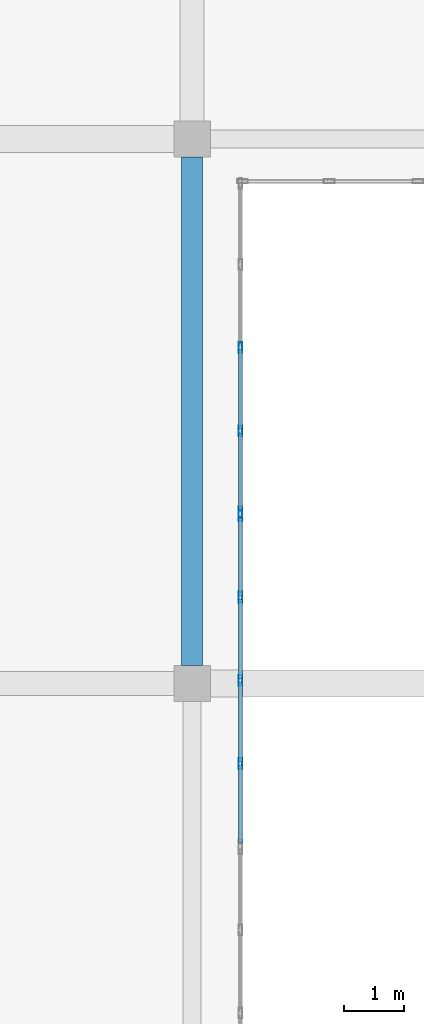
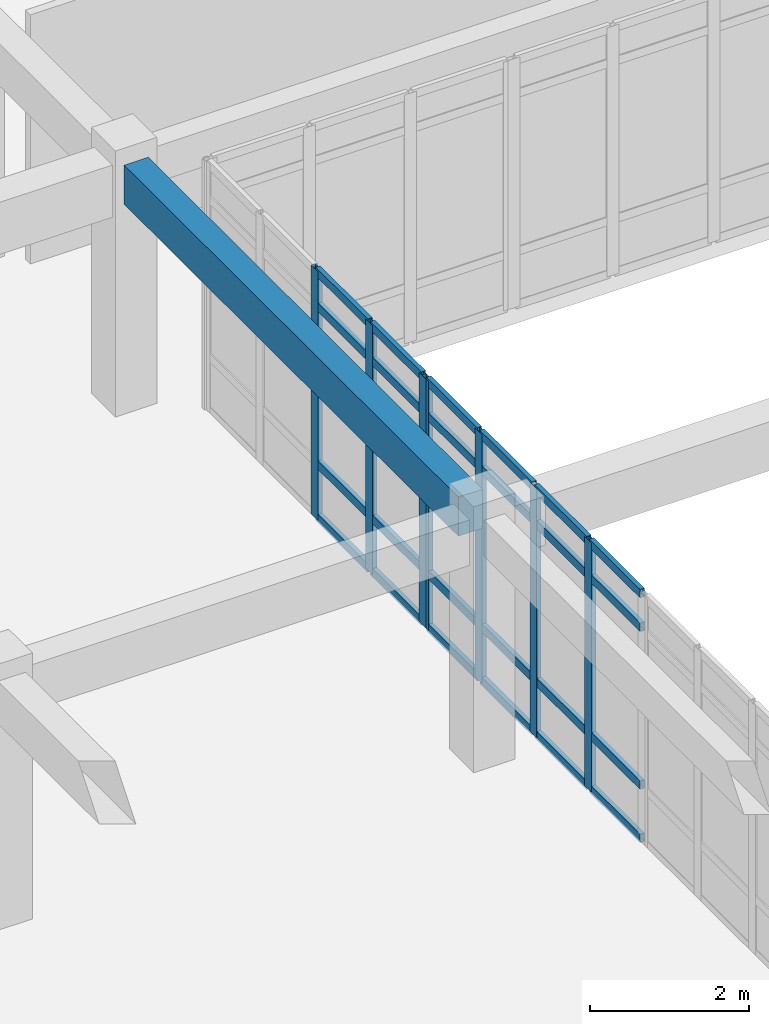
# One storey, part 83 of 146: 31 members, 1 beam, 2 elements without a shape of their own.
"""IFC4 building model written with IfcOpenShell, lengths in metres."""

from ifc_helpers import new_model, si_unit, direction, frame, origin, origin_2d, place, context, subcontext, project, spatial, rectangle, hollow_rectangle, extrude, material, layer, layer_set, material_profile, profile_set, type_object, element, aggregate, save


model = new_model("IFC4")

# Units and contexts
model_context = context("Model", 3, precision=1e-05, world=origin(), true_north=direction((0.0, 1.0)))
body_context = subcontext(model_context, "Body", "Model", "MODEL_VIEW")
ifc_project = project(units=[si_unit("LENGTHUNIT", "METRE"), si_unit("AREAUNIT", "SQUARE_METRE"), si_unit("VOLUMEUNIT", "CUBIC_METRE"), si_unit("PLANEANGLEUNIT", "RADIAN"), si_unit("MASSUNIT", "GRAM", prefix="KILO")], contexts=[model_context])

# Site, building, storey
site_placement = place(None, origin())
site = spatial("IfcSite", under=ifc_project, at=site_placement, CompositionType="ELEMENT")
building_placement = place(site_placement, origin())
building = spatial("IfcBuilding", under=site, at=building_placement, Name="Valcora Specialist Clinic", CompositionType="ELEMENT")
storey_placement = place(building_placement, frame((0.0, 0.0, 9.52001953125)))
storey = spatial("IfcBuildingStorey", under=building, at=storey_placement, Name="L02", CompositionType="ELEMENT", Elevation=9.52001953125)

# Beam
ifc_material_1 = material(Name="Concrete C40/50", Category="concrete")
ifc_material_profile_1 = material_profile(ifc_material_1, rectangle(XDim=0.35009765625, YDim=0.60009765625, at=origin_2d()), Name="RC-BM-350X600")
ifc_profile_set_1 = profile_set([ifc_material_profile_1], Name="Concrete C40/50")
beam_type = type_object("IfcBeamType", Name="TY-BM-RC350X600", PredefinedType="BEAM", material=ifc_profile_set_1)
beam_placement = place(storey_placement, frame((76.0, 90.5, 3.52001953125), z_axis=(0.0, 1.0, 0.0), x_axis=(-1.0, 0.0, 0.0)))
element("IfcBeam", 1, at=beam_placement, inside=storey, type_object=beam_type, Name="Beam BM-L02-0744", PredefinedType="BEAM", context=body_context, shape_type="SweptSolid", body=[
    extrude(rectangle(XDim=0.35009765625, YDim=0.60009765625, at=origin_2d()), origin(), (0.0, 0.0, 1.0), 8.39990234375),
])

# Curtain wall, members
ifc_material_2 = material(Name="Anodized Bronze Aluminium 6063-T6", Category="aluminium")
ifc_layer = layer(ifc_material_2, 0.175048828125)
ifc_layer_set = layer_set([ifc_layer], Name="Anodized Bronze Aluminium 6063-T6")
curtain_wall_type = type_object("IfcCurtainWallType", Name="TY-CW-CRT15", PredefinedType="NOTDEFINED", material=ifc_layer_set)
curtain_wall_1_placement = place(storey_placement, origin())
curtain_wall_1 = element("IfcCurtainWall", 2, at=curtain_wall_1_placement, inside=storey, type_object=curtain_wall_type, Name="Curtain wall CW-L02-102", PredefinedType="NOTDEFINED")
ifc_material_profile_2 = material_profile(ifc_material_2, hollow_rectangle(XDim=0.06494140625, YDim=0.175048828125, WallThickness=0.00390625, at=origin_2d()), Name="AL-MUL-65X175")
ifc_profile_set_2 = profile_set([ifc_material_profile_2], Name="Anodized Bronze Aluminium 6063-T6")
member_type_1 = type_object("IfcMemberType", Name="TY-CWM-65X175", PredefinedType="MULLION", material=ifc_profile_set_2)
member_1_placement = place(storey_placement, frame((76.800048828125, 95.75, 0.0), z_axis=(0.0, 0.0, 1.0), x_axis=(1.0, 0.0, 0.0)))
member_1 = element("IfcMember", 3, at=member_1_placement, type_object=member_type_1, Name="CW-CRT-15 mullion 3", PredefinedType="MULLION", context=body_context, shape_type="SweptSolid", body=[
    extrude(hollow_rectangle(XDim=0.06494140625, YDim=0.175048828125, WallThickness=0.00390625, at=origin_2d()), origin(), (0.0, 0.0, 1.0), 3.820068359375),
])
member_2_placement = place(storey_placement, frame((76.800048828125, 94.375, 0.0), z_axis=(0.0, 0.0, 1.0), x_axis=(1.0, 0.0, 0.0)))
member_2 = element("IfcMember", 4, at=member_2_placement, type_object=member_type_1, Name="CW-CRT-15 mullion 4", PredefinedType="MULLION", context=body_context, shape_type="SweptSolid", body=[
    extrude(hollow_rectangle(XDim=0.06494140625, YDim=0.175048828125, WallThickness=0.00390625, at=origin_2d()), origin(), (0.0, 0.0, 1.0), 3.820068359375),
])
member_3_placement = place(storey_placement, frame((76.800048828125, 93.032470703125, 0.0), z_axis=(0.0, 0.0, 1.0), x_axis=(1.0, 0.0, 0.0)))
member_3 = element("IfcMember", 5, at=member_3_placement, type_object=member_type_1, Name="CW-CRT-15 mullion 5", PredefinedType="MULLION", context=body_context, shape_type="SweptSolid", body=[
    extrude(hollow_rectangle(XDim=0.06494140625, YDim=0.175048828125, WallThickness=0.00390625, at=origin_2d()), origin(), (0.0, 0.0, 1.0), 3.820068359375),
])

curtain_wall_2_placement = place(storey_placement, origin())
curtain_wall_2 = element("IfcCurtainWall", 6, at=curtain_wall_2_placement, inside=storey, type_object=curtain_wall_type, Name="Curtain wall CW-L02-103", PredefinedType="NOTDEFINED")
member_4_placement = place(storey_placement, frame((76.800048828125, 92.967529296875, 0.0), z_axis=(0.0, 0.0, 1.0), x_axis=(1.0, 0.0, 0.0)))
member_4 = element("IfcMember", 7, at=member_4_placement, type_object=member_type_1, Name="CW-CRT-15 mullion 1", PredefinedType="MULLION", context=body_context, shape_type="SweptSolid", body=[
    extrude(hollow_rectangle(XDim=0.06494140625, YDim=0.175048828125, WallThickness=0.00390625, at=origin_2d()), origin(), (0.0, 0.0, 1.0), 3.820068359375),
])
member_5_placement = place(storey_placement, frame((76.800048828125, 91.625, 0.0), z_axis=(0.0, 0.0, 1.0), x_axis=(1.0, 0.0, 0.0)))
member_5 = element("IfcMember", 8, at=member_5_placement, type_object=member_type_1, Name="CW-CRT-15 mullion 2", PredefinedType="MULLION", context=body_context, shape_type="SweptSolid", body=[
    extrude(hollow_rectangle(XDim=0.06494140625, YDim=0.175048828125, WallThickness=0.00390625, at=origin_2d()), origin(), (0.0, 0.0, 1.0), 3.820068359375),
])
member_6_placement = place(storey_placement, frame((76.800048828125, 90.25, 0.0), z_axis=(0.0, 0.0, 1.0), x_axis=(1.0, 0.0, 0.0)))
member_6 = element("IfcMember", 9, at=member_6_placement, type_object=member_type_1, Name="CW-CRT-15 mullion 3", PredefinedType="MULLION", context=body_context, shape_type="SweptSolid", body=[
    extrude(hollow_rectangle(XDim=0.06494140625, YDim=0.175048828125, WallThickness=0.00390625, at=origin_2d()), origin(), (0.0, 0.0, 1.0), 3.820068359375),
])
member_7_placement = place(storey_placement, frame((76.800048828125, 88.875, 0.0), z_axis=(0.0, 0.0, 1.0), x_axis=(1.0, 0.0, 0.0)))
member_7 = element("IfcMember", 10, at=member_7_placement, type_object=member_type_1, Name="CW-CRT-15 mullion 4", PredefinedType="MULLION", context=body_context, shape_type="SweptSolid", body=[
    extrude(hollow_rectangle(XDim=0.06494140625, YDim=0.175048828125, WallThickness=0.00390625, at=origin_2d()), origin(), (0.0, 0.0, 1.0), 3.820068359375),
])

# Member
ifc_material_profile_3 = material_profile(ifc_material_2, hollow_rectangle(XDim=0.06494140625, YDim=0.1298828125, WallThickness=0.00390625, at=origin_2d()), Name="AL-TRN-65X130")
ifc_profile_set_3 = profile_set([ifc_material_profile_3], Name="Anodized Bronze Aluminium 6063-T6")
member_type_2 = type_object("IfcMemberType", Name="TY-CWT-65X130", PredefinedType="USERDEFINED", material=ifc_profile_set_3)
member_8_placement = place(storey_placement, frame((76.800048828125, 95.717529296875, 0.032470703125), z_axis=(0.0, -1.0, 0.0), x_axis=(1.0, 0.0, 0.0)))
member_8 = element("IfcMember", 11, at=member_8_placement, type_object=member_type_2, Name="CW-CRT-15 transom 3.1", ObjectType="TRANSOM", PredefinedType="USERDEFINED", context=body_context, shape_type="SweptSolid", body=[
    extrude(hollow_rectangle(XDim=0.06494140625, YDim=0.1298828125, WallThickness=0.00390625, at=origin_2d()), origin(), (0.0, 0.0, 1.0), 1.31005859375),
])

member_9_placement = place(storey_placement, frame((76.800048828125, 95.717529296875, 0.85009765625), z_axis=(0.0, -1.0, 0.0), x_axis=(1.0, 0.0, 0.0)))
member_9 = element("IfcMember", 12, at=member_9_placement, type_object=member_type_2, Name="CW-CRT-15 transom 3.2", ObjectType="TRANSOM", PredefinedType="USERDEFINED", context=body_context, shape_type="SweptSolid", body=[
    extrude(hollow_rectangle(XDim=0.06494140625, YDim=0.1298828125, WallThickness=0.00390625, at=origin_2d()), origin(), (0.0, 0.0, 1.0), 1.31005859375),
])

member_10_placement = place(storey_placement, frame((76.800048828125, 95.717529296875, 3.27001953125), z_axis=(0.0, -1.0, 0.0), x_axis=(1.0, 0.0, 0.0)))
member_10 = element("IfcMember", 13, at=member_10_placement, type_object=member_type_2, Name="CW-CRT-15 transom 3.3", ObjectType="TRANSOM", PredefinedType="USERDEFINED", context=body_context, shape_type="SweptSolid", body=[
    extrude(hollow_rectangle(XDim=0.06494140625, YDim=0.1298828125, WallThickness=0.00390625, at=origin_2d()), origin(), (0.0, 0.0, 1.0), 1.31005859375),
])

member_11_placement = place(storey_placement, frame((76.800048828125, 95.717529296875, 3.78759765625), z_axis=(0.0, -1.0, 0.0), x_axis=(1.0, 0.0, 0.0)))
member_11 = element("IfcMember", 14, at=member_11_placement, type_object=member_type_2, Name="CW-CRT-15 transom 3.4", ObjectType="TRANSOM", PredefinedType="USERDEFINED", context=body_context, shape_type="SweptSolid", body=[
    extrude(hollow_rectangle(XDim=0.06494140625, YDim=0.1298828125, WallThickness=0.00390625, at=origin_2d()), origin(), (0.0, 0.0, 1.0), 1.31005859375),
])

member_12_placement = place(storey_placement, frame((76.800048828125, 94.342529296875, 0.032470703125), z_axis=(0.0, -1.0, 0.0), x_axis=(1.0, 0.0, 0.0)))
member_12 = element("IfcMember", 15, at=member_12_placement, type_object=member_type_2, Name="CW-CRT-15 transom 4.1", ObjectType="TRANSOM", PredefinedType="USERDEFINED", context=body_context, shape_type="SweptSolid", body=[
    extrude(hollow_rectangle(XDim=0.06494140625, YDim=0.1298828125, WallThickness=0.00390625, at=origin_2d()), origin(), (0.0, 0.0, 1.0), 1.277587890625),
])

member_13_placement = place(storey_placement, frame((76.800048828125, 94.342529296875, 0.85009765625), z_axis=(0.0, -1.0, 0.0), x_axis=(1.0, 0.0, 0.0)))
member_13 = element("IfcMember", 16, at=member_13_placement, type_object=member_type_2, Name="CW-CRT-15 transom 4.2", ObjectType="TRANSOM", PredefinedType="USERDEFINED", context=body_context, shape_type="SweptSolid", body=[
    extrude(hollow_rectangle(XDim=0.06494140625, YDim=0.1298828125, WallThickness=0.00390625, at=origin_2d()), origin(), (0.0, 0.0, 1.0), 1.277587890625),
])

member_14_placement = place(storey_placement, frame((76.800048828125, 94.342529296875, 3.27001953125), z_axis=(0.0, -1.0, 0.0), x_axis=(1.0, 0.0, 0.0)))
member_14 = element("IfcMember", 17, at=member_14_placement, type_object=member_type_2, Name="CW-CRT-15 transom 4.3", ObjectType="TRANSOM", PredefinedType="USERDEFINED", context=body_context, shape_type="SweptSolid", body=[
    extrude(hollow_rectangle(XDim=0.06494140625, YDim=0.1298828125, WallThickness=0.00390625, at=origin_2d()), origin(), (0.0, 0.0, 1.0), 1.277587890625),
])

member_15_placement = place(storey_placement, frame((76.800048828125, 94.342529296875, 3.78759765625), z_axis=(0.0, -1.0, 0.0), x_axis=(1.0, 0.0, 0.0)))
member_15 = element("IfcMember", 18, at=member_15_placement, type_object=member_type_2, Name="CW-CRT-15 transom 4.4", ObjectType="TRANSOM", PredefinedType="USERDEFINED", context=body_context, shape_type="SweptSolid", body=[
    extrude(hollow_rectangle(XDim=0.06494140625, YDim=0.1298828125, WallThickness=0.00390625, at=origin_2d()), origin(), (0.0, 0.0, 1.0), 1.277587890625),
])

aggregate(curtain_wall_1, [member_1, member_2, member_3, member_8, member_9, member_10, member_11, member_12, member_13, member_14, member_15])

member_16_placement = place(storey_placement, frame((76.800048828125, 92.93505859375, 0.032470703125), z_axis=(0.0, -1.0, 0.0), x_axis=(1.0, 0.0, 0.0)))
member_16 = element("IfcMember", 19, at=member_16_placement, type_object=member_type_2, Name="CW-CRT-15 transom 1.1", ObjectType="TRANSOM", PredefinedType="USERDEFINED", context=body_context, shape_type="SweptSolid", body=[
    extrude(hollow_rectangle(XDim=0.06494140625, YDim=0.1298828125, WallThickness=0.00390625, at=origin_2d()), origin(), (0.0, 0.0, 1.0), 1.277587890625),
])

member_17_placement = place(storey_placement, frame((76.800048828125, 92.93505859375, 0.85009765625), z_axis=(0.0, -1.0, 0.0), x_axis=(1.0, 0.0, 0.0)))
member_17 = element("IfcMember", 20, at=member_17_placement, type_object=member_type_2, Name="CW-CRT-15 transom 1.2", ObjectType="TRANSOM", PredefinedType="USERDEFINED", context=body_context, shape_type="SweptSolid", body=[
    extrude(hollow_rectangle(XDim=0.06494140625, YDim=0.1298828125, WallThickness=0.00390625, at=origin_2d()), origin(), (0.0, 0.0, 1.0), 1.277587890625),
])

member_18_placement = place(storey_placement, frame((76.800048828125, 92.93505859375, 3.27001953125), z_axis=(0.0, -1.0, 0.0), x_axis=(1.0, 0.0, 0.0)))
member_18 = element("IfcMember", 21, at=member_18_placement, type_object=member_type_2, Name="CW-CRT-15 transom 1.3", ObjectType="TRANSOM", PredefinedType="USERDEFINED", context=body_context, shape_type="SweptSolid", body=[
    extrude(hollow_rectangle(XDim=0.06494140625, YDim=0.1298828125, WallThickness=0.00390625, at=origin_2d()), origin(), (0.0, 0.0, 1.0), 1.277587890625),
])

member_19_placement = place(storey_placement, frame((76.800048828125, 92.93505859375, 3.78759765625), z_axis=(0.0, -1.0, 0.0), x_axis=(1.0, 0.0, 0.0)))
member_19 = element("IfcMember", 22, at=member_19_placement, type_object=member_type_2, Name="CW-CRT-15 transom 1.4", ObjectType="TRANSOM", PredefinedType="USERDEFINED", context=body_context, shape_type="SweptSolid", body=[
    extrude(hollow_rectangle(XDim=0.06494140625, YDim=0.1298828125, WallThickness=0.00390625, at=origin_2d()), origin(), (0.0, 0.0, 1.0), 1.277587890625),
])

member_20_placement = place(storey_placement, frame((76.800048828125, 91.592529296875, 0.032470703125), z_axis=(0.0, -1.0, 0.0), x_axis=(1.0, 0.0, 0.0)))
member_20 = element("IfcMember", 23, at=member_20_placement, type_object=member_type_2, Name="CW-CRT-15 transom 2.1", ObjectType="TRANSOM", PredefinedType="USERDEFINED", context=body_context, shape_type="SweptSolid", body=[
    extrude(hollow_rectangle(XDim=0.06494140625, YDim=0.1298828125, WallThickness=0.00390625, at=origin_2d()), origin(), (0.0, 0.0, 1.0), 1.31005859375),
])

member_21_placement = place(storey_placement, frame((76.800048828125, 91.592529296875, 0.85009765625), z_axis=(0.0, -1.0, 0.0), x_axis=(1.0, 0.0, 0.0)))
member_21 = element("IfcMember", 24, at=member_21_placement, type_object=member_type_2, Name="CW-CRT-15 transom 2.2", ObjectType="TRANSOM", PredefinedType="USERDEFINED", context=body_context, shape_type="SweptSolid", body=[
    extrude(hollow_rectangle(XDim=0.06494140625, YDim=0.1298828125, WallThickness=0.00390625, at=origin_2d()), origin(), (0.0, 0.0, 1.0), 1.31005859375),
])

member_22_placement = place(storey_placement, frame((76.800048828125, 91.592529296875, 3.27001953125), z_axis=(0.0, -1.0, 0.0), x_axis=(1.0, 0.0, 0.0)))
member_22 = element("IfcMember", 25, at=member_22_placement, type_object=member_type_2, Name="CW-CRT-15 transom 2.3", ObjectType="TRANSOM", PredefinedType="USERDEFINED", context=body_context, shape_type="SweptSolid", body=[
    extrude(hollow_rectangle(XDim=0.06494140625, YDim=0.1298828125, WallThickness=0.00390625, at=origin_2d()), origin(), (0.0, 0.0, 1.0), 1.31005859375),
])

member_23_placement = place(storey_placement, frame((76.800048828125, 91.592529296875, 3.78759765625), z_axis=(0.0, -1.0, 0.0), x_axis=(1.0, 0.0, 0.0)))
member_23 = element("IfcMember", 26, at=member_23_placement, type_object=member_type_2, Name="CW-CRT-15 transom 2.4", ObjectType="TRANSOM", PredefinedType="USERDEFINED", context=body_context, shape_type="SweptSolid", body=[
    extrude(hollow_rectangle(XDim=0.06494140625, YDim=0.1298828125, WallThickness=0.00390625, at=origin_2d()), origin(), (0.0, 0.0, 1.0), 1.31005859375),
])

member_24_placement = place(storey_placement, frame((76.800048828125, 90.217529296875, 0.032470703125), z_axis=(0.0, -1.0, 0.0), x_axis=(1.0, 0.0, 0.0)))
member_24 = element("IfcMember", 27, at=member_24_placement, type_object=member_type_2, Name="CW-CRT-15 transom 3.1", ObjectType="TRANSOM", PredefinedType="USERDEFINED", context=body_context, shape_type="SweptSolid", body=[
    extrude(hollow_rectangle(XDim=0.06494140625, YDim=0.1298828125, WallThickness=0.00390625, at=origin_2d()), origin(), (0.0, 0.0, 1.0), 1.31005859375),
])

member_25_placement = place(storey_placement, frame((76.800048828125, 90.217529296875, 0.85009765625), z_axis=(0.0, -1.0, 0.0), x_axis=(1.0, 0.0, 0.0)))
member_25 = element("IfcMember", 28, at=member_25_placement, type_object=member_type_2, Name="CW-CRT-15 transom 3.2", ObjectType="TRANSOM", PredefinedType="USERDEFINED", context=body_context, shape_type="SweptSolid", body=[
    extrude(hollow_rectangle(XDim=0.06494140625, YDim=0.1298828125, WallThickness=0.00390625, at=origin_2d()), origin(), (0.0, 0.0, 1.0), 1.31005859375),
])

member_26_placement = place(storey_placement, frame((76.800048828125, 90.217529296875, 3.27001953125), z_axis=(0.0, -1.0, 0.0), x_axis=(1.0, 0.0, 0.0)))
member_26 = element("IfcMember", 29, at=member_26_placement, type_object=member_type_2, Name="CW-CRT-15 transom 3.3", ObjectType="TRANSOM", PredefinedType="USERDEFINED", context=body_context, shape_type="SweptSolid", body=[
    extrude(hollow_rectangle(XDim=0.06494140625, YDim=0.1298828125, WallThickness=0.00390625, at=origin_2d()), origin(), (0.0, 0.0, 1.0), 1.31005859375),
])

member_27_placement = place(storey_placement, frame((76.800048828125, 90.217529296875, 3.78759765625), z_axis=(0.0, -1.0, 0.0), x_axis=(1.0, 0.0, 0.0)))
member_27 = element("IfcMember", 30, at=member_27_placement, type_object=member_type_2, Name="CW-CRT-15 transom 3.4", ObjectType="TRANSOM", PredefinedType="USERDEFINED", context=body_context, shape_type="SweptSolid", body=[
    extrude(hollow_rectangle(XDim=0.06494140625, YDim=0.1298828125, WallThickness=0.00390625, at=origin_2d()), origin(), (0.0, 0.0, 1.0), 1.31005859375),
])

member_28_placement = place(storey_placement, frame((76.800048828125, 88.842529296875, 0.032470703125), z_axis=(0.0, -1.0, 0.0), x_axis=(1.0, 0.0, 0.0)))
member_28 = element("IfcMember", 31, at=member_28_placement, type_object=member_type_2, Name="CW-CRT-15 transom 4.1", ObjectType="TRANSOM", PredefinedType="USERDEFINED", context=body_context, shape_type="SweptSolid", body=[
    extrude(hollow_rectangle(XDim=0.06494140625, YDim=0.1298828125, WallThickness=0.00390625, at=origin_2d()), origin(), (0.0, 0.0, 1.0), 1.277587890625),
])

member_29_placement = place(storey_placement, frame((76.800048828125, 88.842529296875, 0.85009765625), z_axis=(0.0, -1.0, 0.0), x_axis=(1.0, 0.0, 0.0)))
member_29 = element("IfcMember", 32, at=member_29_placement, type_object=member_type_2, Name="CW-CRT-15 transom 4.2", ObjectType="TRANSOM", PredefinedType="USERDEFINED", context=body_context, shape_type="SweptSolid", body=[
    extrude(hollow_rectangle(XDim=0.06494140625, YDim=0.1298828125, WallThickness=0.00390625, at=origin_2d()), origin(), (0.0, 0.0, 1.0), 1.277587890625),
])

member_30_placement = place(storey_placement, frame((76.800048828125, 88.842529296875, 3.27001953125), z_axis=(0.0, -1.0, 0.0), x_axis=(1.0, 0.0, 0.0)))
member_30 = element("IfcMember", 33, at=member_30_placement, type_object=member_type_2, Name="CW-CRT-15 transom 4.3", ObjectType="TRANSOM", PredefinedType="USERDEFINED", context=body_context, shape_type="SweptSolid", body=[
    extrude(hollow_rectangle(XDim=0.06494140625, YDim=0.1298828125, WallThickness=0.00390625, at=origin_2d()), origin(), (0.0, 0.0, 1.0), 1.277587890625),
])

member_31_placement = place(storey_placement, frame((76.800048828125, 88.842529296875, 3.78759765625), z_axis=(0.0, -1.0, 0.0), x_axis=(1.0, 0.0, 0.0)))
member_31 = element("IfcMember", 34, at=member_31_placement, type_object=member_type_2, Name="CW-CRT-15 transom 4.4", ObjectType="TRANSOM", PredefinedType="USERDEFINED", context=body_context, shape_type="SweptSolid", body=[
    extrude(hollow_rectangle(XDim=0.06494140625, YDim=0.1298828125, WallThickness=0.00390625, at=origin_2d()), origin(), (0.0, 0.0, 1.0), 1.277587890625),
])

aggregate(curtain_wall_2, [member_4, member_5, member_6, member_7, member_16, member_17, member_18, member_19, member_20, member_21, member_22, member_23, member_24, member_25, member_26, member_27, member_28, member_29, member_30, member_31])

save(model, "model.ifc")
